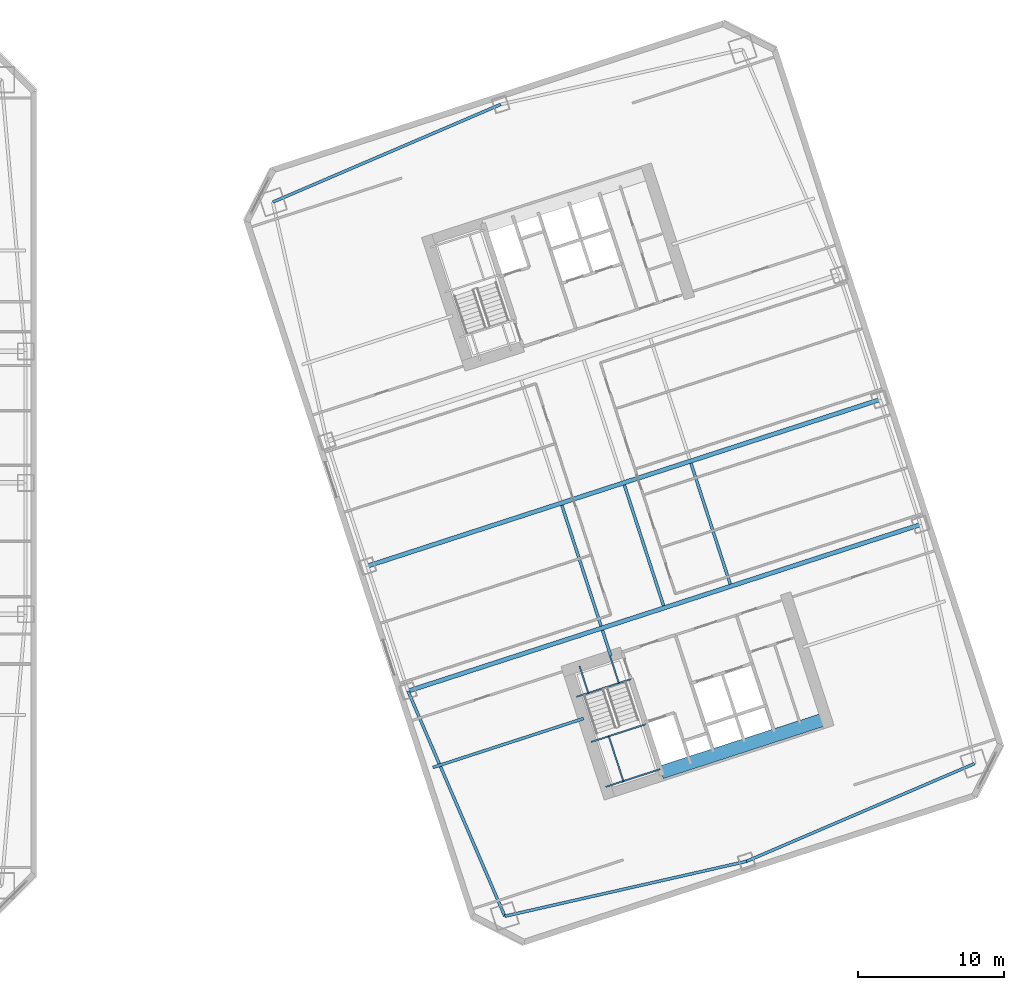
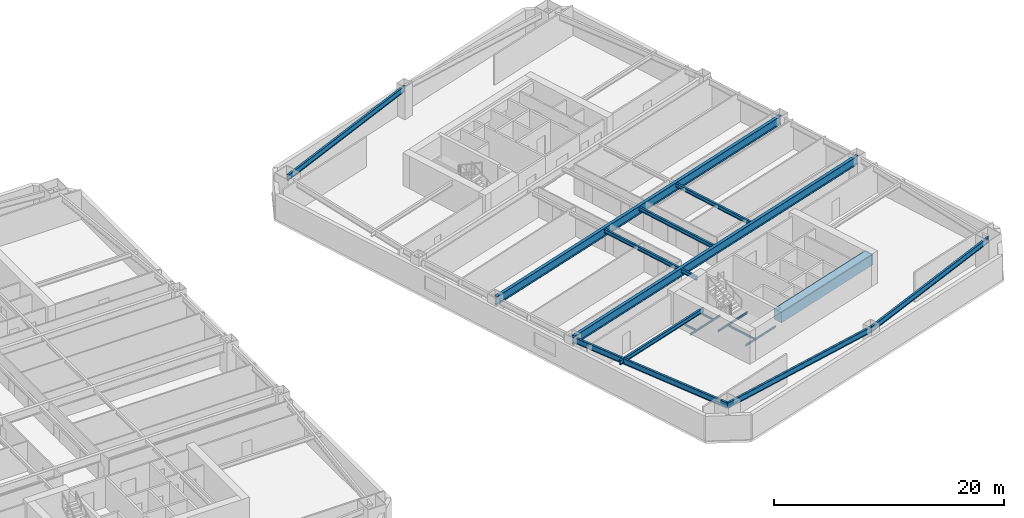
# One storey, part 7 of 19: 18 beams.
"""IFC4 building model written with IfcOpenShell, lengths in metres."""

from ifc_helpers import new_model, si_unit, direction, frame, origin, origin_2d, place, context, subcontext, project, spatial, rectangle, i_section, extrude, material, material_profile, profile_set, type_object, element, save


model = new_model("IFC4")

# Units and contexts
model_context = context("Model", 3, precision=1e-05, world=origin(), true_north=direction((0.0, 1.0)))
body_context = subcontext(model_context, "Body", "Model", "MODEL_VIEW")
ifc_project = project(units=[si_unit("LENGTHUNIT", "METRE"), si_unit("AREAUNIT", "SQUARE_METRE"), si_unit("VOLUMEUNIT", "CUBIC_METRE"), si_unit("PLANEANGLEUNIT", "RADIAN"), si_unit("MASSUNIT", "GRAM", prefix="KILO")], contexts=[model_context])

# Site, building, storey
site_placement = place(None, origin())
site = spatial("IfcSite", under=ifc_project, at=site_placement, CompositionType="ELEMENT")
building_placement = place(site_placement, origin())
building = spatial("IfcBuilding", under=site, at=building_placement, Name="Qiaolan Cultural Towers", CompositionType="ELEMENT")
storey_placement = place(building_placement, frame((0.0, 0.0, 54.050048828125)))
storey = spatial("IfcBuildingStorey", under=building, at=storey_placement, Name="L12", CompositionType="ELEMENT", Elevation=54.050048828125)

# Beams
ifc_material_1 = material(Name="Steel Q355B", Category="steel")
ifc_material_profile_1 = material_profile(ifc_material_1, i_section(OverallWidth=0.300048828125, OverallDepth=0.89990234375, WebThickness=0.01611328125, FlangeThickness=0.028076171875, at=origin_2d()), Name="HN900x300x16x28")
ifc_profile_set_1 = profile_set([ifc_material_profile_1], Name="Steel Q355B")
beam_type_1 = type_object("IfcBeamType", Name="BM-HN900x300x16x28", PredefinedType="BEAM", material=ifc_profile_set_1)
beam_1_placement = place(storey_placement, frame((75.234130859375, 19.739013671875, 2.739990234375), z_axis=(0.951055702987, 0.309019497469, 0.0), x_axis=(-0.309019497469, 0.951055702987, 0.0)))
element("IfcBeam", 1, at=beam_1_placement, inside=storey, type_object=beam_type_1, Name="L12 T2 Primary Transverse Girder V1", PredefinedType="BEAM", context=body_context, shape_type="SweptSolid", body=[
    extrude(i_section(OverallWidth=0.300048828125, OverallDepth=0.89990234375, WebThickness=0.01611328125, FlangeThickness=0.028076171875, at=origin_2d()), origin(), (0.0, 0.0, 1.0), 36.900146484375),
])
beam_2_placement = place(storey_placement, frame((72.453125, 28.298583984375, 2.739990234375), z_axis=(0.951055071173, 0.309021441968, 0.0), x_axis=(-0.309021441968, 0.951055071173, 0.0)))
element("IfcBeam", 2, at=beam_2_placement, inside=storey, type_object=beam_type_1, Name="L12 T2 Primary Transverse Girder V2", PredefinedType="BEAM", context=body_context, shape_type="SweptSolid", body=[
    extrude(i_section(OverallWidth=0.300048828125, OverallDepth=0.89990234375, WebThickness=0.01611328125, FlangeThickness=0.028076171875, at=origin_2d()), origin(), (0.0, 0.0, 1.0), 36.89990234375),
])
ifc_material_2 = material(Name="Steel Q355B", Category="steel")
ifc_material_profile_2 = material_profile(ifc_material_2, i_section(OverallWidth=0.199951171875, OverallDepth=0.39990234375, WebThickness=0.008056640625, FlangeThickness=0.012939453125, at=origin_2d()), Name="HN400x200x8x13")
ifc_profile_set_2 = profile_set([ifc_material_profile_2], Name="Steel Q355B")
beam_type_2 = type_object("IfcBeamType", Name="BM-JST-HN400x200x8x13", PredefinedType="JOIST", material=ifc_profile_set_2)
beam_3_placement = place(storey_placement, frame((89.119384765625, 22.147705078125, 2.989990234375), z_axis=(-0.308933885266, 0.951083516067, 0.0), x_axis=(-0.951083516067, -0.308933885266, 0.0)))
element("IfcBeam", 3, at=beam_3_placement, inside=storey, type_object=beam_type_2, Name="L12 T2 Secondary Floor Joist U1-1", PredefinedType="JOIST", context=body_context, shape_type="SweptSolid", body=[
    extrude(i_section(OverallWidth=0.199951171875, OverallDepth=0.39990234375, WebThickness=0.008056640625, FlangeThickness=0.012939453125, at=origin_2d()), origin(), (0.0, 0.0, 1.0), 1.85009765625),
])
for number, where, z_axis, x_axis, name in (
    (4, (88.455078125, 24.192626953125, 2.989990234375), (-0.309020714809, 0.951055307445, 0.0), (-0.951055307445, -0.309020714809, 0.0), "L12 T2 Secondary Floor Joist U1-2"),
    (5, (92.73486328125, 25.583251953125, 2.989990234375), (-0.309020714809, 0.951055307445, 0.0), (-0.951055307445, -0.309020714809, 0.0), "L12 T2 Secondary Floor Joist U2-2"),
    (6, (97.2998046875, 27.06640625, 2.989990234375), (-0.309020714809, 0.951055307445, 0.0), (-0.951055307445, -0.309020714809, 0.0), "L12 T2 Secondary Floor Joist U3-2"),
):
    element("IfcBeam", number, at=place(storey_placement, frame(where, z_axis=z_axis, x_axis=x_axis)), inside=storey, type_object=beam_type_2, Name=name, PredefinedType="JOIST", context=body_context, shape_type="SweptSolid", body=[
        extrude(i_section(OverallWidth=0.199951171875, OverallDepth=0.39990234375, WebThickness=0.008056640625, FlangeThickness=0.012939453125, at=origin_2d()), origin(), (0.0, 0.0, 1.0), 8.699951171875),
    ])
ifc_material_3 = material(Name="Steel Q355B", Category="steel")
ifc_material_profile_3 = material_profile(ifc_material_3, i_section(OverallWidth=0.199951171875, OverallDepth=0.449951171875, WebThickness=0.009033203125, FlangeThickness=0.013916015625, at=origin_2d()), Name="HN450x200x9x14")
ifc_profile_set_3 = profile_set([ifc_material_profile_3], Name="Steel Q355B")
beam_type_3 = type_object("IfcBeamType", Name="BM-LNT-HN450x200x9x14", PredefinedType="LINTEL", material=ifc_profile_set_3)
beam_4_placement = place(storey_placement, frame((87.252685546875, 17.861083984375, 2.96484375), z_axis=(-0.95105688584, -0.30901585703, 0.0), x_axis=(0.30901585703, -0.95105688584, 0.0)))
element("IfcBeam", 7, at=beam_4_placement, inside=storey, type_object=beam_type_3, Name="L12 T2 Core Flank Tie Lintel WS", PredefinedType="LINTEL", context=body_context, shape_type="SweptSolid", body=[
    extrude(i_section(OverallWidth=0.199951171875, OverallDepth=0.449951171875, WebThickness=0.009033203125, FlangeThickness=0.013916015625, at=origin_2d()), origin(), (0.0, 0.0, 1.0), 10.849853515625),
])
ifc_material_4 = material(Name="Concrete C50", Category="concrete")
ifc_material_profile_4 = material_profile(ifc_material_4, rectangle(XDim=0.89990234375, YDim=1.10009765625, at=origin_2d()), Name="RC900x1100")
ifc_profile_set_4 = profile_set([ifc_material_profile_4], Name="Concrete C50")
beam_type_4 = type_object("IfcBeamType", Name="BM-RC900x1100", PredefinedType="BEAM", material=ifc_profile_set_4)
beam_5_placement = place(storey_placement, frame((92.572265625, 14.174560546875, 2.639892578125), z_axis=(0.951056266386, 0.309017763514, 0.0), x_axis=(-0.309017763514, 0.951056266386, 0.0)))
element("IfcBeam", 8, at=beam_5_placement, inside=storey, type_object=beam_type_4, Name="L12 T2 Core Header Girder S", PredefinedType="BEAM", context=body_context, shape_type="SweptSolid", body=[
    extrude(rectangle(XDim=0.89990234375, YDim=1.10009765625, at=origin_2d()), origin(), (0.0, 0.0, 1.0), 11.880126953125),
])
ifc_material_5 = material(Name="Steel Q355B", Category="steel")
ifc_material_profile_5 = material_profile(ifc_material_5, i_section(OverallWidth=0.199951171875, OverallDepth=0.60009765625, WebThickness=0.010986328125, FlangeThickness=0.01708984375, at=origin_2d()), Name="HN600x200x11x17")
ifc_profile_set_5 = profile_set([ifc_material_profile_5], Name="Steel Q355B")
beam_type_5 = type_object("IfcBeamType", Name="BM-SPD-HN600x200x11x17", PredefinedType="SPANDREL", material=ifc_profile_set_5)
for number, where, z_axis, x_axis, name in (
    (9, (81.862548828125, 4.32275390625, 2.889892578125), (0.975161095889, 0.221496810506, 0.0), (-0.221496810506, 0.975161095889, 0.0), "L12 T2 Perimeter Spandrel Beam 1"),
    (10, (98.420654296875, 8.083740234375, 2.889892578125), (0.919108584923, 0.394004326272, 0.0), (-0.394004326272, 0.919108584923, 0.0), "L12 T2 Perimeter Spandrel Beam 2"),
    (11, (81.579345703125, 59.916259765625, 2.889892578125), (-0.919108584923, -0.394004326272, 0.0), (0.394004326272, -0.919108584923, 0.0), "L12 T2 Perimeter Spandrel Beam 8"),
):
    element("IfcBeam", number, at=place(storey_placement, frame(where, z_axis=z_axis, x_axis=x_axis)), inside=storey, type_object=beam_type_5, Name=name, PredefinedType="SPANDREL", context=body_context, shape_type="SweptSolid", body=[
        extrude(i_section(OverallWidth=0.199951171875, OverallDepth=0.60009765625, WebThickness=0.010986328125, FlangeThickness=0.01708984375, at=origin_2d()), origin(), (0.0, 0.0, 1.0), 16.97998046875),
    ])
beam_6_placement = place(storey_placement, frame((75.234130859375, 19.739013671875, 2.889892578125), z_axis=(0.394998896054, -0.918681594524, 0.0), x_axis=(0.918681594524, 0.394998896054, 0.0)))
element("IfcBeam", 12, at=beam_6_placement, inside=storey, type_object=beam_type_5, Name="L12 T2 Perimeter Spandrel Beam 12", PredefinedType="SPANDREL", context=body_context, shape_type="SweptSolid", body=[
    extrude(i_section(OverallWidth=0.199951171875, OverallDepth=0.60009765625, WebThickness=0.010986328125, FlangeThickness=0.01708984375, at=origin_2d()), origin(), (0.0, 0.0, 1.0), 16.78076171875),
])
ifc_material_6 = material(Name="Steel Q355B", Category="steel")
ifc_material_profile_6 = material_profile(ifc_material_6, i_section(OverallWidth=0.10009765625, OverallDepth=0.199951171875, WebThickness=0.005615234375, FlangeThickness=0.008056640625, at=origin_2d()), Name="HN200x100x5.5x8")
ifc_profile_set_6 = profile_set([ifc_material_profile_6], Name="Steel Q355B")
beam_type_6 = type_object("IfcBeamType", Name="BM-STTRIM-200", PredefinedType="BEAM", material=ifc_profile_set_6)
beam_7_placement = place(storey_placement, frame((86.770751953125, 19.3447265625, -0.4599609375), z_axis=(0.951047798727, 0.309043823005, 0.0), x_axis=(-0.309043823005, 0.951047798727, 0.0)))
element("IfcBeam", 13, at=beam_7_placement, inside=storey, type_object=beam_type_6, Name="L12 ST-E1 Floor Landing Header Beam", PredefinedType="BEAM", context=body_context, shape_type="SweptSolid", body=[
    extrude(i_section(OverallWidth=0.10009765625, OverallDepth=0.199951171875, WebThickness=0.005615234375, FlangeThickness=0.008056640625, at=origin_2d()), origin(), (0.0, 0.0, 1.0), 3.919921875),
])
for number, where, z_axis, x_axis, name in (
    (14, (86.9794921875, 21.452392578125, -0.4599609375), (0.309083226701, -0.951034993558, 0.0), (0.951034993558, 0.309083226701, 0.0), "L12 ST-E1 Floor Landing Stringer 1"),
    (15, (89.07177734375, 22.13232421875, -0.4599609375), (0.309083226701, -0.951034993558, 0.0), (0.951034993558, 0.309083226701, 0.0), "L12 ST-E1 Floor Landing Stringer 2"),
):
    element("IfcBeam", number, at=place(storey_placement, frame(where, z_axis=z_axis, x_axis=x_axis)), inside=storey, type_object=beam_type_6, Name=name, PredefinedType="BEAM", context=body_context, shape_type="SweptSolid", body=[
        extrude(i_section(OverallWidth=0.10009765625, OverallDepth=0.199951171875, WebThickness=0.005615234375, FlangeThickness=0.008056640625, at=origin_2d()), origin(), (0.0, 0.0, 1.0), 1.93994140625),
    ])
for number, where, z_axis, x_axis, name in (
    (16, (87.774658203125, 16.255126953125, 1.425048828125), (0.951047798727, 0.309043823005, 0.0), (-0.309043823005, 0.951047798727, 0.0), "L12 ST-E1 Stair Landing Support Beam 1-1"),
    (17, (88.773193359375, 13.181884765625, 1.425048828125), (0.951047798727, 0.309043823005, 0.0), (-0.309043823005, 0.951047798727, 0.0), "L12 ST-E1 Stair Landing Support Beam 1-2"),
):
    element("IfcBeam", number, at=place(storey_placement, frame(where, z_axis=z_axis, x_axis=x_axis)), inside=storey, type_object=beam_type_6, Name=name, PredefinedType="BEAM", context=body_context, shape_type="SweptSolid", body=[
        extrude(i_section(OverallWidth=0.10009765625, OverallDepth=0.199951171875, WebThickness=0.005615234375, FlangeThickness=0.008056640625, at=origin_2d()), origin(), (0.0, 0.0, 1.0), 3.919921875),
    ])
beam_8_placement = place(storey_placement, frame((88.982421875, 16.6474609375, 1.425048828125), z_axis=(0.309033108495, -0.951051280349, 0.0), x_axis=(0.951051280349, 0.309033108495, 0.0)))
element("IfcBeam", 18, at=beam_8_placement, inside=storey, type_object=beam_type_6, Name="L12 ST-E1 Stair Landing Trimmer 1", PredefinedType="BEAM", context=body_context, shape_type="SweptSolid", body=[
    extrude(i_section(OverallWidth=0.10009765625, OverallDepth=0.199951171875, WebThickness=0.005615234375, FlangeThickness=0.008056640625, at=origin_2d()), origin(), (0.0, 0.0, 1.0), 3.231201171875),
])

save(model, "model.ifc")
